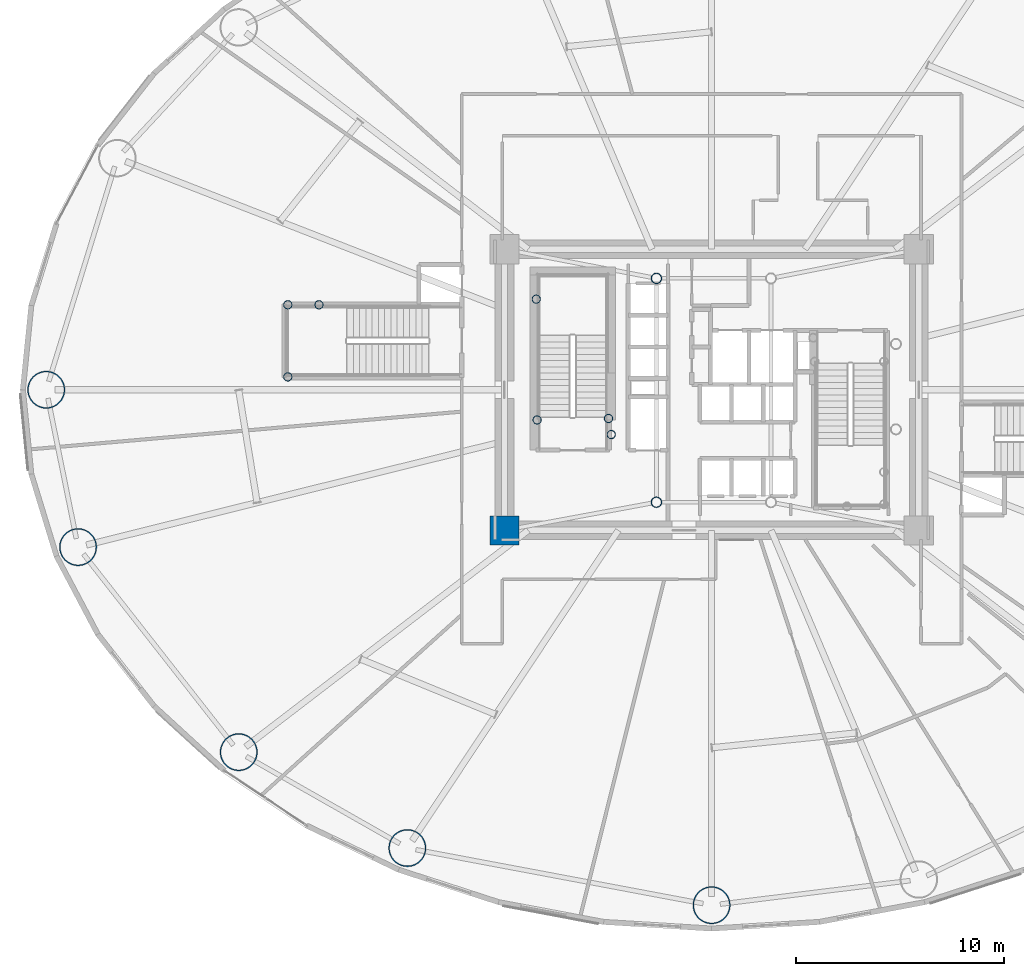
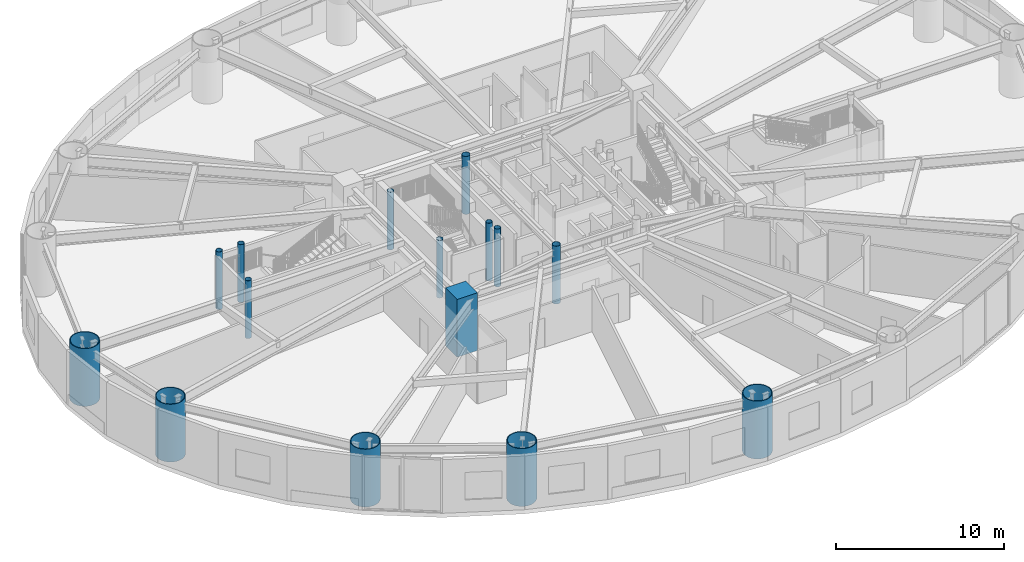
# One storey, part 1 of 31: 15 columns.
"""IFC4 building model written with IfcOpenShell, lengths in metres."""

from ifc_helpers import new_model, si_unit, direction, frame, origin, origin_2d, place, context, subcontext, project, spatial, rectangle, hollow_circle, extrude, material, material_profile, profile_set, type_object, element, save


model = new_model("IFC4")

# Units and contexts
model_context = context("Model", 3, precision=1e-05, world=origin(), true_north=direction((0.0, 1.0)))
body_context = subcontext(model_context, "Body", "Model", "MODEL_VIEW")
ifc_project = project(units=[si_unit("LENGTHUNIT", "METRE"), si_unit("AREAUNIT", "SQUARE_METRE"), si_unit("VOLUMEUNIT", "CUBIC_METRE"), si_unit("PLANEANGLEUNIT", "RADIAN"), si_unit("MASSUNIT", "GRAM", prefix="KILO")], contexts=[model_context])

# Site, building, storey
site_placement = place(None, origin())
site = spatial("IfcSite", under=ifc_project, at=site_placement, CompositionType="ELEMENT")
building_placement = place(site_placement, origin())
building = spatial("IfcBuilding", under=site, at=building_placement, Name="Linh Dai School and Residence Tower", CompositionType="ELEMENT")
storey_placement = place(building_placement, frame((0.0, 0.0, 6.0)))
storey = spatial("IfcBuildingStorey", under=building, at=storey_placement, Name="L01", CompositionType="ELEMENT", Elevation=6.0)

# Columns
ifc_material_1 = material(Name="Concrete B60 (C50/60)", Category="concrete")
ifc_material_profile_1 = material_profile(ifc_material_1, rectangle(XDim=1.39990234375, YDim=1.39990234375, at=origin_2d()), Name="RC 1400x1400")
ifc_profile_set_1 = profile_set([ifc_material_profile_1], Name="Concrete B60 (C50/60)")
column_type_1 = type_object("IfcColumnType", Name="COL-CC1", PredefinedType="COLUMN", material=ifc_profile_set_1)
column_placement = place(storey_placement, frame((26.050048828125, 20.25, 0.0), z_axis=(0.0, 0.0, 1.0), x_axis=(1.0, 0.0, 0.0)))
element("IfcColumn", 1, at=column_placement, inside=storey, type_object=column_type_1, Name="L01 Core Corner Pier CC1", PredefinedType="COLUMN", context=body_context, shape_type="SweptSolid", body=[
    extrude(rectangle(XDim=1.39990234375, YDim=1.39990234375, at=origin_2d()), origin(), (0.0, 0.0, 1.0), 4.199951171875),
])
ifc_material_2 = material(Name="Structural Steel S355JR", Category="steel")
ifc_material_profile_2 = material_profile(ifc_material_2, hollow_circle(Radius=0.203125, WallThickness=0.01611328125, at=origin_2d()), Name="CHS 406.4x16")
ifc_profile_set_2 = profile_set([ifc_material_profile_2], Name="Structural Steel S355JR")
column_type_2 = type_object("IfcColumnType", Name="COL-EC", PredefinedType="COLUMN", material=ifc_profile_set_2)
for number, where, z_axis, x_axis, name in (
    (2, (27.580078125, 31.35009765625, 0.0), (0.0, 0.0, 1.0), (1.0, 0.0, 0.0), "L01 Stair Shaft Landing Support Pier ST1NW"),
    (3, (31.050048828125, 25.6201171875, 0.0), (0.0, 0.0, 1.0), (1.0, 0.0, 0.0), "L01 Stair Shaft Landing Support Pier ST1SE"),
    (4, (31.179931640625, 24.85009765625, 0.0), (0.0, 0.0, 1.0), (1.0, 0.0, 0.0), "L01 Stair Shaft Landing Support Pier ST1SM"),
    (5, (27.6201171875, 25.550048828125, 0.0), (0.0, 0.0, 1.0), (1.0, 0.0, 0.0), "L01 Stair Shaft Landing Support Pier ST1SW"),
    (6, (15.64990234375, 27.6201171875, 0.0), (0.0, 0.0, 1.0), (1.0, 0.0, 0.0), "L01 Stair Shaft Landing Support Pier STS1SW"),
    (7, (15.64990234375, 31.080078125, 0.0), (0.0, 0.0, 1.0), (1.0, 0.0, 0.0), "L01 Stair Shaft Landing Support Pier STS1NW"),
    (8, (17.14990234375, 31.080078125, 0.0), (0.0, 0.0, 1.0), (1.0, 0.0, 0.0), "L01 Stair Shaft Landing Support Pier STS1ME"),
):
    element("IfcColumn", number, at=place(storey_placement, frame(where, z_axis=z_axis, x_axis=x_axis)), inside=storey, type_object=column_type_2, Name=name, PredefinedType="COLUMN", context=body_context, shape_type="SweptSolid", body=[
        extrude(hollow_circle(Radius=0.203125, WallThickness=0.01611328125, at=origin_2d()), origin(), (0.0, 0.0, 1.0), 4.199951171875),
    ])
ifc_material_profile_3 = material_profile(ifc_material_2, hollow_circle(Radius=0.89990234375, WallThickness=0.050048828125, at=origin_2d()), Name="CHS 1800x50")
ifc_profile_set_3 = profile_set([ifc_material_profile_3], Name="Structural Steel S355JR")
column_type_3 = type_object("IfcColumnType", Name="COL-MC1", PredefinedType="COLUMN", material=ifc_profile_set_3)
for number, where, z_axis, x_axis, name in (
    (9, (4.050048828125, 27.0, 0.0), (0.0, 0.0, 1.0), (1.0, 0.0, 0.0), "L01 Perimeter CFT Mega-Column MC09"),
    (10, (5.57958984375, 19.444580078125, 0.0), (0.0, 0.0, 1.0), (1.0, 0.0, 0.0), "L01 Perimeter CFT Mega-Column MC10"),
    (11, (13.294677734375, 9.599365234375, 0.0), (0.0, 0.0, 1.0), (1.0, 0.0, 0.0), "L01 Perimeter CFT Mega-Column MC11"),
    (12, (21.390869140625, 4.994873046875, 0.0), (0.0, 0.0, 1.0), (1.0, 0.0, 0.0), "L01 Perimeter CFT Mega-Column MC12"),
    (13, (36.0, 2.25, 0.0), (0.0, 0.0, 1.0), (1.0, 0.0, 0.0), "L01 Perimeter CFT Mega-Column MC13"),
):
    element("IfcColumn", number, at=place(storey_placement, frame(where, z_axis=z_axis, x_axis=x_axis)), inside=storey, type_object=column_type_3, Name=name, PredefinedType="COLUMN", context=body_context, shape_type="SweptSolid", body=[
        extrude(hollow_circle(Radius=0.89990234375, WallThickness=0.050048828125, at=origin_2d()), origin(), (0.0, 0.0, 1.0), 4.199951171875),
    ])
ifc_material_profile_4 = material_profile(ifc_material_2, hollow_circle(Radius=0.25390625, WallThickness=0.02001953125, at=origin_2d()), Name="CHS 508x20")
ifc_profile_set_4 = profile_set([ifc_material_profile_4], Name="Structural Steel S355JR")
column_type_4 = type_object("IfcColumnType", Name="COL-MCP", PredefinedType="COLUMN", material=ifc_profile_set_4)
for number, where, z_axis, x_axis, name in (
    (14, (33.35009765625, 21.60009765625, 0.0), (0.0, 0.0, 1.0), (1.0, 0.0, 0.0), "L01 Core Mast Support Pier MCP1"),
    (15, (33.35009765625, 32.35009765625, 0.0), (0.0, 0.0, 1.0), (1.0, 0.0, 0.0), "L01 Core Mast Support Pier MCP4"),
):
    element("IfcColumn", number, at=place(storey_placement, frame(where, z_axis=z_axis, x_axis=x_axis)), inside=storey, type_object=column_type_4, Name=name, PredefinedType="COLUMN", context=body_context, shape_type="SweptSolid", body=[
        extrude(hollow_circle(Radius=0.25390625, WallThickness=0.02001953125, at=origin_2d()), origin(), (0.0, 0.0, 1.0), 4.199951171875),
    ])

save(model, "model.ifc")
